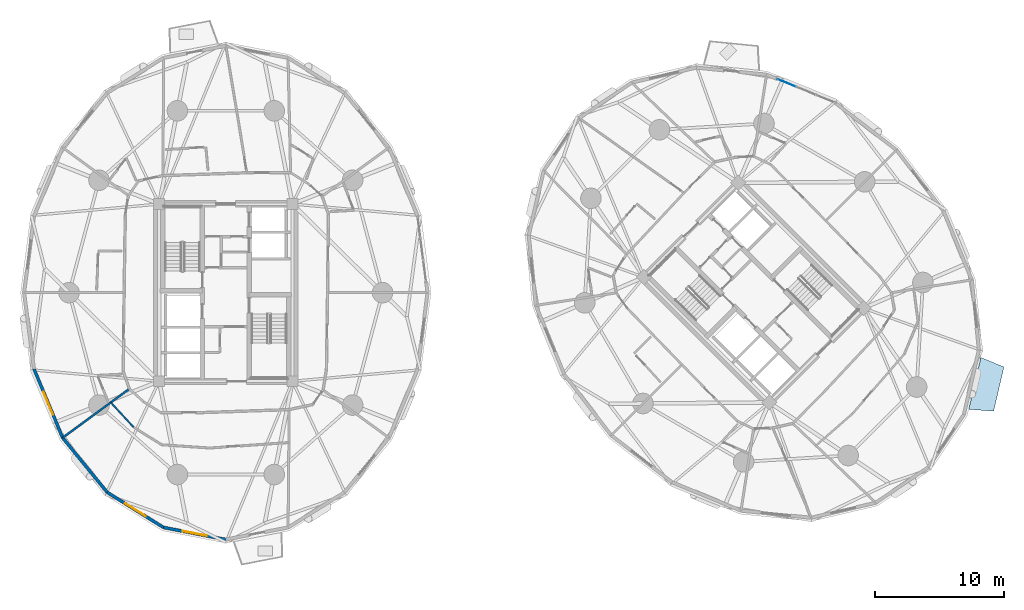
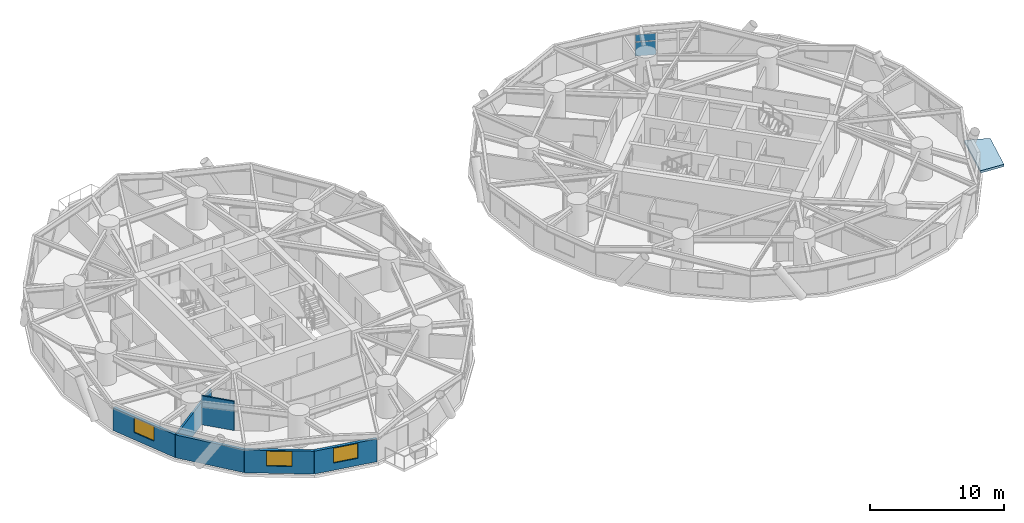
# One storey, part 8 of 18: 6 walls, 3 windows, 2 plates, 1 slab, 3 openings, 1 element without a shape of its own.
"""IFC4 building model written with IfcOpenShell, lengths in metres."""

from ifc_helpers import new_model, si_unit, direction, frame, frame_2d, origin, origin_2d, place, context, subcontext, project, spatial, polyline, rectangle, outline, extrude, source, transform, mapped, material, layer, layer_set, type_object, element, fill, aggregate, save


model = new_model("IFC4")

# Units and contexts
model_context = context("Model", 3, precision=1e-05, world=origin(), true_north=direction((0.0, 1.0)))
body_context = subcontext(model_context, "Body", "Model", "MODEL_VIEW")
ifc_project = project(units=[si_unit("LENGTHUNIT", "METRE"), si_unit("AREAUNIT", "SQUARE_METRE"), si_unit("VOLUMEUNIT", "CUBIC_METRE"), si_unit("PLANEANGLEUNIT", "RADIAN"), si_unit("MASSUNIT", "GRAM", prefix="KILO")], contexts=[model_context])

# Site, building, storey
site_placement = place(None, origin())
site = spatial("IfcSite", under=ifc_project, at=site_placement, CompositionType="ELEMENT")
building_placement = place(site_placement, origin())
building = spatial("IfcBuilding", under=site, at=building_placement, Name="Cununo Teusaquillo Station Towers", CompositionType="ELEMENT")
storey_placement = place(building_placement, frame((0.0, 0.0, 51.10009765625)))
storey = spatial("IfcBuildingStorey", under=building, at=storey_placement, Name="L15", CompositionType="ELEMENT", Elevation=51.10009765625)

# Slab
ifc_material_1 = material(Name="Concrete C50/60", Category="concrete")
ifc_layer_1 = layer(ifc_material_1, 0.2099609375)
ifc_layer_set_1 = layer_set([ifc_layer_1], Name="Concrete C50/60")
slab_type = type_object("IfcSlabType", Name="SLB-BAL-210", PredefinedType="FLOOR", material=ifc_layer_set_1)
slab_placement = place(storey_placement, frame((0.0, 0.0, -0.210205078125)))
element("IfcSlab", 1, at=slab_placement, inside=storey, type_object=slab_type, Name="L15 Tower B Tree Balcony Slab 2", PredefinedType="FLOOR", context=body_context, shape_type="SweptSolid", body=[
    extrude(outline(polyline([(74.193603515625, 15.43798828125), (75.1328125, 19.462890625), (76.9296875, 18.735595703125), (76.126708984375, 15.295166015625), (74.193603515625, 15.43798828125)])), origin(), (0.0, 0.0, 1.0), 0.210205078125),
])

# Curtain wall, plates
ifc_material_2 = material(Name="Operable acoustic tinted low-E double glazing", Category="glass")
ifc_layer_2 = layer(ifc_material_2, 0.179931640625)
ifc_layer_set_2 = layer_set([ifc_layer_2], Name="Operable acoustic tinted low-E double glazing")
curtain_wall_type = type_object("IfcCurtainWallType", Name="CW-SYS-03", PredefinedType="USERDEFINED", material=ifc_layer_set_2)
curtain_wall_placement = place(storey_placement, origin())
curtain_wall = element("IfcCurtainWall", 2, at=curtain_wall_placement, inside=storey, type_object=curtain_wall_type, Name="L15 Tower B Facade Curtain Wall C01", ObjectType="OPERABLE GLAZING", PredefinedType="USERDEFINED")
ifc_material_3 = material(Name="Operable acoustic tinted low-E double glazing", Category="glass")
ifc_layer_3 = layer(ifc_material_3, 0.031982421875)
ifc_layer_set_3 = layer_set([ifc_layer_3], Name="Operable acoustic tinted low-E double glazing")
plate_type = type_object("IfcPlateType", Name="CWP-OPER-32", PredefinedType="CURTAIN_PANEL", material=ifc_layer_set_3)
shared_shape_1 = source(origin(), body_context, "Body", "SweptSolid", [
    extrude(rectangle(XDim=1.541259765625, YDim=0.031982421875, at=origin_2d()), origin(), (0.0, 0.0, 1.0), 1.241943359375),
])
plate_1_placement = place(storey_placement, frame((60.0556640625, 40.783447265625, 0.06982421875), z_axis=(0.0, 0.0, 1.0), x_axis=(0.924572384299, -0.381006438517, 0.0)))
plate_1 = element("IfcPlate", 3, at=plate_1_placement, type_object=plate_type, Name="CW-03 panel 1.1", PredefinedType="CURTAIN_PANEL", context=body_context, shape_type="MappedRepresentation", body=[
    mapped(shared_shape_1, transform((0.0, 0.0, 0.0), x_axis=(1.0, 0.0, 0.0), y_axis=(0.0, 1.0, 0.0), z_axis=(0.0, 0.0, 1.0), scale=1.0)),
])
shared_shape_2 = source(origin(), body_context, "Body", "SweptSolid", [
    extrude(rectangle(XDim=1.541259765625, YDim=0.031982421875, at=origin_2d()), origin(), (0.0, 0.0, 1.0), 0.62109375),
])
plate_2_placement = place(storey_placement, frame((60.0556640625, 40.783447265625, 1.3818359375), z_axis=(0.0, 0.0, 1.0), x_axis=(0.924572384299, -0.381006438517, 0.0)))
plate_2 = element("IfcPlate", 4, at=plate_2_placement, type_object=plate_type, Name="CW-03 panel 1.2", PredefinedType="CURTAIN_PANEL", context=body_context, shape_type="MappedRepresentation", body=[
    mapped(shared_shape_2, transform((0.0, 0.0, 0.0), x_axis=(1.0, 0.0, 0.0), y_axis=(0.0, 1.0, 0.0), z_axis=(0.0, 0.0, 1.0), scale=1.0)),
])
aggregate(curtain_wall, [plate_1, plate_2])

# Wall, opening, window
ifc_material_4 = material(Name="Precast concrete C40/50", Category="concrete")
ifc_layer_4 = layer(ifc_material_4, 0.239990234375)
ifc_layer_set_4 = layer_set([ifc_layer_4], Name="Precast concrete C40/50")
wall_type_1 = type_object("IfcWallType", Name="WL-EXT-240", PredefinedType="SOLIDWALL", material=ifc_layer_set_4)
wall_1_placement = place(storey_placement, frame((3.828369140625, 13.232177734375, 0.0), z_axis=(0.0, 0.0, 1.0), x_axis=(-0.384348836956, 0.923187939442, 0.0)))
wall_1 = element("IfcWall", 5, at=wall_1_placement, inside=storey, type_object=wall_type_1, Name="L15 Tower A Exterior Facade Wall C11", PredefinedType="SOLIDWALL", context=body_context, shape_type="SweptSolid", body=[
    extrude(rectangle(XDim=5.78857421875, YDim=0.239990234375, at=frame_2d((2.894287109375, 0.0))), origin(), (0.0, 0.0, 1.0), 2.072998046875),
])
shared_shape_3 = source(origin(), body_context, "Body", "SweptSolid", [
    extrude(rectangle(XDim=1.89990234375, YDim=1.35009765625, at=frame_2d((0.949951171875, 0.675048828125))), frame((0.0, 0.1298828125, 0.0), z_axis=(0.0, -1.0, 0.0), x_axis=(1.0, 0.0, 0.0)), (0.0, 0.0, 1.0), 0.260009765625),
])
opening_1_placement = place(wall_1_placement, frame((1.944091796875, 0.0, 0.64990234375)))
opening_1 = element("IfcOpeningElement", 6, at=opening_1_placement, cuts=wall_1, Name="Opening WN-02", PredefinedType="OPENING", context=body_context, shape_type="MappedRepresentation", body=[
    mapped(shared_shape_3, transform((0.0, 0.0, 0.0), x_axis=(1.0, 0.0, 0.0), y_axis=(0.0, 1.0, 0.0), z_axis=(0.0, 0.0, 1.0), scale=1.0)),
])
ifc_material_5 = material(Name="Operable acoustic tinted low-E double glazing", Category="glass")
window_type = type_object("IfcWindowType", Name="WIN-OPER-1900", PartitioningType="DOUBLE_PANEL_VERTICAL", PredefinedType="WINDOW", material=ifc_material_5)
shared_shape_4 = source(origin(), body_context, "Body", "SweptSolid", [
    extrude(rectangle(XDim=1.89990234375, YDim=1.35009765625, at=frame_2d((0.949951171875, 0.675048828125))), frame((0.0, 0.030029296875, 0.0), z_axis=(0.0, -1.0, 0.0), x_axis=(1.0, 0.0, 0.0)), (0.0, 0.0, 1.0), 0.06005859375),
])
window_1_placement = place(opening_1_placement, origin())
window_1 = element("IfcWindow", 7, at=window_1_placement, inside=storey, type_object=window_type, Name="L15 Tower A Facade Window C11", OverallHeight=1.35009765625, OverallWidth=1.89990234375, PartitioningType="DOUBLE_PANEL_VERTICAL", PredefinedType="WINDOW", context=body_context, shape_type="MappedRepresentation", body=[
    mapped(shared_shape_4, transform((0.0, 0.0, 0.0), x_axis=(1.0, 0.0, 0.0), y_axis=(0.0, 1.0, 0.0), z_axis=(0.0, 0.0, 1.0), scale=1.0)),
])
fill(opening_1, window_1)

# Wall
wall_2_placement = place(storey_placement, frame((7.29345703125, 8.9912109375, 0.0), z_axis=(0.0, 0.0, 1.0), x_axis=(-0.632713287022, 0.77438614168, 0.0)))
element("IfcWall", 8, at=wall_2_placement, inside=storey, type_object=wall_type_1, Name="L15 Tower A Exterior Facade Wall C12", PredefinedType="SOLIDWALL", context=body_context, shape_type="SweptSolid", body=[
    extrude(rectangle(XDim=5.4765625, YDim=0.239990234375, at=frame_2d((2.73828125, 0.0))), origin(), (0.0, 0.0, 1.0), 2.072998046875),
])

# Wall, opening, window
wall_3_placement = place(storey_placement, frame((11.659912109375, 6.268310546875, 0.0), z_axis=(0.0, 0.0, 1.0), x_axis=(-0.848533613342, 0.529141481107, 0.0)))
wall_3 = element("IfcWall", 9, at=wall_3_placement, inside=storey, type_object=wall_type_1, Name="L15 Tower A Exterior Facade Wall C13", PredefinedType="SOLIDWALL", context=body_context, shape_type="SweptSolid", body=[
    extrude(rectangle(XDim=5.14599609375, YDim=0.239990234375, at=frame_2d((2.572998046875, 0.0))), origin(), (0.0, 0.0, 1.0), 2.072998046875),
])
opening_2_placement = place(wall_3_placement, frame((1.623046875, 0.0, 0.64990234375)))
opening_2 = element("IfcOpeningElement", 10, at=opening_2_placement, cuts=wall_3, Name="Opening WN-02", PredefinedType="OPENING", context=body_context, shape_type="MappedRepresentation", body=[
    mapped(shared_shape_3, transform((0.0, 0.0, 0.0), x_axis=(1.0, 0.0, 0.0), y_axis=(0.0, 1.0, 0.0), z_axis=(0.0, 0.0, 1.0), scale=1.0)),
])
window_2_placement = place(opening_2_placement, origin())
window_2 = element("IfcWindow", 11, at=window_2_placement, inside=storey, type_object=window_type, Name="L15 Tower A Facade Window C13", OverallHeight=1.35009765625, OverallWidth=1.89990234375, PartitioningType="DOUBLE_PANEL_VERTICAL", PredefinedType="WINDOW", context=body_context, shape_type="MappedRepresentation", body=[
    mapped(shared_shape_4, transform((0.0, 0.0, 0.0), x_axis=(1.0, 0.0, 0.0), y_axis=(0.0, 1.0, 0.0), z_axis=(0.0, 0.0, 1.0), scale=1.0)),
])
fill(opening_2, window_2)

wall_4_placement = place(storey_placement, frame((16.5, 5.330078125, 0.0), z_axis=(0.0, 0.0, 1.0), x_axis=(-0.981725274071, 0.190303668512, 0.0)))
wall_4 = element("IfcWall", 12, at=wall_4_placement, inside=storey, type_object=wall_type_1, Name="L15 Tower A Exterior Facade Wall C14", PredefinedType="SOLIDWALL", context=body_context, shape_type="SweptSolid", body=[
    extrude(rectangle(XDim=4.93017578125, YDim=0.239990234375, at=frame_2d((2.465087890625, 0.0))), origin(), (0.0, 0.0, 1.0), 2.072998046875),
])
opening_3_placement = place(wall_4_placement, frame((1.514892578125, 0.0, 0.64990234375)))
opening_3 = element("IfcOpeningElement", 13, at=opening_3_placement, cuts=wall_4, Name="Opening WN-02", PredefinedType="OPENING", context=body_context, shape_type="MappedRepresentation", body=[
    mapped(shared_shape_3, transform((0.0, 0.0, 0.0), x_axis=(1.0, 0.0, 0.0), y_axis=(0.0, 1.0, 0.0), z_axis=(0.0, 0.0, 1.0), scale=1.0)),
])
window_3_placement = place(opening_3_placement, origin())
window_3 = element("IfcWindow", 14, at=window_3_placement, inside=storey, type_object=window_type, Name="L15 Tower A Facade Window C14", OverallHeight=1.35009765625, OverallWidth=1.89990234375, PartitioningType="DOUBLE_PANEL_VERTICAL", PredefinedType="WINDOW", context=body_context, shape_type="MappedRepresentation", body=[
    mapped(shared_shape_4, transform((0.0, 0.0, 0.0), x_axis=(1.0, 0.0, 0.0), y_axis=(0.0, 1.0, 0.0), z_axis=(0.0, 0.0, 1.0), scale=1.0)),
])
fill(opening_3, window_3)

# Walls
ifc_material_6 = material(Name="Fire-rated gypsum plasterboard partition assembly", Category="gypsum")
ifc_layer_5 = layer(ifc_material_6, 0.125)
ifc_layer_set_5 = layer_set([ifc_layer_5], Name="Fire-rated gypsum plasterboard partition assembly")
wall_type_2 = type_object("IfcWallType", Name="WL-PART-125", PredefinedType="PARTITIONING", material=ifc_layer_set_5)
wall_5_placement = place(storey_placement, frame((7.56396484375, 15.97314453125, 0.0), z_axis=(0.0, 0.0, 1.0), x_axis=(0.678576389573, -0.734529838409, 0.0)))
element("IfcWall", 15, at=wall_5_placement, inside=storey, type_object=wall_type_2, Name="L15 Tower A Hotel Sommelier & Wine Salon Concentric Partition Wall C12", PredefinedType="PARTITIONING", context=body_context, shape_type="SweptSolid", body=[
    extrude(rectangle(XDim=2.6005859375, YDim=0.125, at=frame_2d((1.30029296875, 0.0))), origin(), (0.0, 0.0, 1.0), 2.635009765625),
])
ifc_material_7 = material(Name="Fire-rated gypsum plasterboard partition assembly", Category="gypsum")
ifc_layer_6 = layer(ifc_material_7, 0.159912109375)
ifc_layer_set_6 = layer_set([ifc_layer_6], Name="Fire-rated gypsum plasterboard partition assembly")
wall_type_3 = type_object("IfcWallType", Name="WL-PART-160", PredefinedType="PARTITIONING", material=ifc_layer_set_6)
wall_6_placement = place(storey_placement, frame((9.01025390625, 17.034423828125, 0.0), z_axis=(0.0, 0.0, 1.0), x_axis=(-0.806234156757, -0.591596555499, 0.0)))
element("IfcWall", 16, at=wall_6_placement, inside=storey, type_object=wall_type_3, Name="L15 Tower A Radial Suite Partition R07", PredefinedType="PARTITIONING", context=body_context, shape_type="SweptSolid", body=[
    extrude(rectangle(XDim=6.4072265625, YDim=0.159912109375, at=frame_2d((3.20361328125, 0.0))), origin(), (0.0, 0.0, 1.0), 2.072998046875),
])

save(model, "model.ifc")
